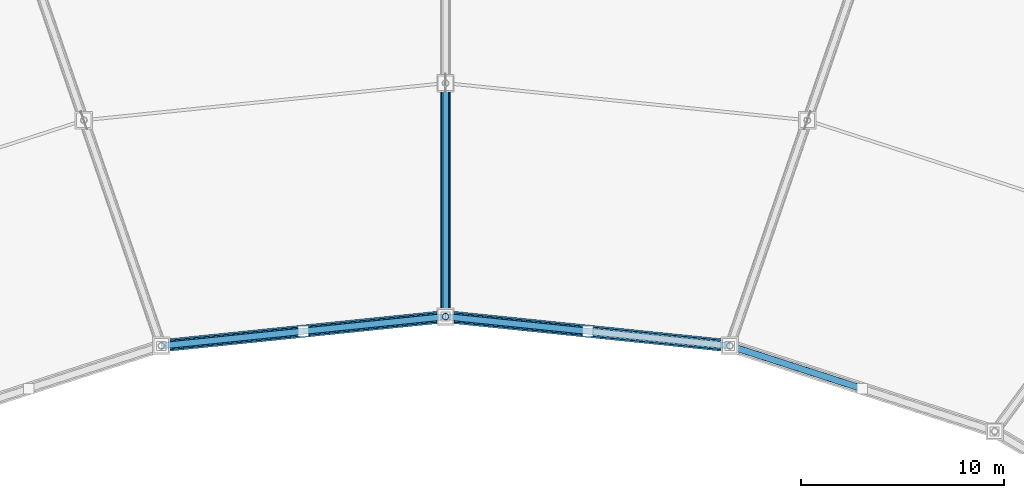
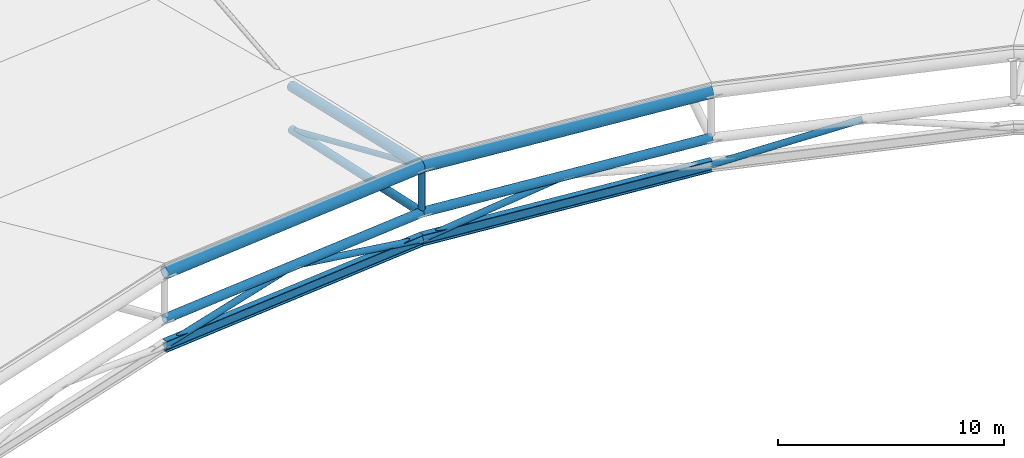
# One storey, part 33 of 115: 12 members, 2 beams.
"""IFC4 building model written with IfcOpenShell, lengths in metres."""

from ifc_helpers import new_model, si_unit, direction, frame, origin, origin_2d, place, context, subcontext, project, spatial, hollow_circle, i_section, extrude, material, material_profile, profile_set, type_object, element, save


model = new_model("IFC4")

# Units and contexts
model_context = context("Model", 3, precision=1e-05, world=origin(), true_north=direction((0.0, 1.0)))
body_context = subcontext(model_context, "Body", "Model", "MODEL_VIEW")
ifc_project = project(units=[si_unit("LENGTHUNIT", "METRE"), si_unit("AREAUNIT", "SQUARE_METRE"), si_unit("VOLUMEUNIT", "CUBIC_METRE"), si_unit("PLANEANGLEUNIT", "RADIAN"), si_unit("MASSUNIT", "GRAM", prefix="KILO")], contexts=[model_context])

# Site, building, storey
site_placement = place(None, origin())
site = spatial("IfcSite", under=ifc_project, at=site_placement, CompositionType="ELEMENT")
building_placement = place(site_placement, origin())
building = spatial("IfcBuilding", under=site, at=building_placement, Name="Zlatoyarsky Gate Stadium", CompositionType="ELEMENT")
storey_placement = place(building_placement, frame((0.0, 0.0, 31.800048828125)))
storey = spatial("IfcBuildingStorey", under=building, at=storey_placement, Name="RF", CompositionType="ELEMENT", Elevation=31.800048828125)

# Members
ifc_material = material(Name="Steel S355", Category="steel")
ifc_material_profile_1 = material_profile(ifc_material, hollow_circle(Radius=0.228515625, WallThickness=0.02490234375, at=origin_2d()), Name="CHS 457X25")
ifc_profile_set_1 = profile_set([ifc_material_profile_1], Name="Steel S355")
member_type_1 = type_object("IfcMemberType", Name="STEEL ARCH BOTTOM CHORD CHS 457X25", PredefinedType="CHORD", material=ifc_profile_set_1)
for number, where, z_axis, x_axis, name in (
    (1, (124.97998046875, 120.69921875, 6.449951171875), (-0.99476736864, 0.102165954647, 0.0), (-0.102165954647, -0.99476736864, 0.0), "Inner tension ring bottom chord 05"),
    (2, (111.0, 122.135009765625, 6.449951171875), (-0.99476736864, -0.102165954647, 0.0), (0.102165954647, -0.99476736864, 0.0), "Inner tension ring bottom chord 06"),
):
    element("IfcMember", number, at=place(storey_placement, frame(where, z_axis=z_axis, x_axis=x_axis)), inside=storey, type_object=member_type_1, Name=name, PredefinedType="CHORD", context=body_context, shape_type="SweptSolid", body=[
        extrude(hollow_circle(Radius=0.228515625, WallThickness=0.02490234375, at=origin_2d()), origin(), (0.0, 0.0, 1.0), 14.053466796875),
    ])
ifc_material_profile_2 = material_profile(ifc_material, hollow_circle(Radius=0.203125, WallThickness=0.02001953125, at=origin_2d()), Name="CHS 406.4X20")
ifc_profile_set_2 = profile_set([ifc_material_profile_2], Name="Steel S355")
member_type_2 = type_object("IfcMemberType", Name="STEEL ARCH INNER CHORD CHS 406.4X20", PredefinedType="CHORD", material=ifc_profile_set_2)
member_1_placement = place(storey_placement, frame((111.0, 133.62060546875, 3.949951171875), z_axis=(0.0, -0.977121031831, 0.212684012455), x_axis=(1.0, 0.0, 0.0)))
element("IfcMember", 3, at=member_1_placement, inside=storey, type_object=member_type_2, Name="Radial truss R07 bottom chord 3", PredefinedType="CHORD", context=body_context, shape_type="SweptSolid", body=[
    extrude(hollow_circle(Radius=0.203125, WallThickness=0.02001953125, at=origin_2d()), origin(), (0.0, 0.0, 1.0), 11.754638671875),
])
ifc_material_profile_3 = material_profile(ifc_material, hollow_circle(Radius=0.25390625, WallThickness=0.02490234375, at=origin_2d()), Name="CHS 508X25")
ifc_profile_set_3 = profile_set([ifc_material_profile_3], Name="Steel S355")
member_type_3 = type_object("IfcMemberType", Name="STEEL ARCH TOP CHORD CHS 508X25", PredefinedType="CHORD", material=ifc_profile_set_3)
member_2_placement = place(storey_placement, frame((111.0, 133.62060546875, 6.300048828125), z_axis=(0.0, -0.97440271409, 0.224809587815), x_axis=(1.0, 0.0, 0.0)))
element("IfcMember", 4, at=member_2_placement, inside=storey, type_object=member_type_3, Name="Radial truss R07 top chord 3", PredefinedType="CHORD", context=body_context, shape_type="SweptSolid", body=[
    extrude(hollow_circle(Radius=0.25390625, WallThickness=0.02490234375, at=origin_2d()), origin(), (0.0, 0.0, 1.0), 11.787353515625),
])

# Beams
ifc_material_profile_4 = material_profile(ifc_material, i_section(OverallWidth=0.300048828125, OverallDepth=0.60009765625, WebThickness=0.015380859375, FlangeThickness=0.030029296875, FilletRadius=0.027099609375, at=origin_2d()), Name="HEB 600")
ifc_profile_set_4 = profile_set([ifc_material_profile_4], Name="Steel S355")
beam_type = type_object("IfcBeamType", Name="STEEL INNER CATWALK RING BEAM HEB 600", PredefinedType="USERDEFINED", material=ifc_profile_set_4)
for number, where, z_axis, x_axis, name in (
    (5, (124.97998046875, 120.69921875, 5.0), (-0.99476736864, 0.102165954647, 0.0), (-0.102165954647, -0.99476736864, 0.0), "Inner lighting catwalk ring beam 05"),
    (6, (111.0, 122.135009765625, 5.0), (-0.99476736864, -0.102165954647, 0.0), (0.102165954647, -0.99476736864, 0.0), "Inner lighting catwalk ring beam 06"),
):
    element("IfcBeam", number, at=place(storey_placement, frame(where, z_axis=z_axis, x_axis=x_axis)), inside=storey, type_object=beam_type, Name=name, ObjectType="RING BEAM", PredefinedType="USERDEFINED", context=body_context, shape_type="SweptSolid", body=[
        extrude(i_section(OverallWidth=0.300048828125, OverallDepth=0.60009765625, WebThickness=0.015380859375, FlangeThickness=0.030029296875, FilletRadius=0.027099609375, at=origin_2d()), origin(), (0.0, 0.0, 1.0), 14.053466796875),
    ])

# Members
ifc_material_profile_5 = material_profile(ifc_material, hollow_circle(Radius=0.136474609375, WallThickness=0.01611328125, at=origin_2d()), Name="CHS 273X16")
ifc_profile_set_5 = profile_set([ifc_material_profile_5], Name="Steel S355")
member_type_4 = type_object("IfcMemberType", Name="STEEL ROOF TRUSS DIAGONAL CHS 273X16", PredefinedType="BRACE", material=ifc_profile_set_5)
member_3_placement = place(storey_placement, frame((111.0, 133.62060546875, 3.949951171875), z_axis=(0.0, -0.916887148251, 0.399146536214), x_axis=(1.0, 0.0, 0.0)))
element("IfcMember", 7, at=member_3_placement, inside=storey, type_object=member_type_4, Name="Radial truss R07 web diagonal 3", PredefinedType="BRACE", context=body_context, shape_type="SweptSolid", body=[
    extrude(hollow_circle(Radius=0.136474609375, WallThickness=0.01611328125, at=origin_2d()), origin(), (0.0, 0.0, 1.0), 12.526611328125),
])
ifc_material_profile_6 = material_profile(ifc_material, hollow_circle(Radius=0.304931640625, WallThickness=0.030029296875, at=origin_2d()), Name="CHS 610X30")
ifc_profile_set_6 = profile_set([ifc_material_profile_6], Name="Steel S355")
member_type_5 = type_object("IfcMemberType", Name="STEEL TENSION RING CHORD CHS 610X30", PredefinedType="CHORD", material=ifc_profile_set_6)
for number, where, z_axis, x_axis, name in (
    (8, (124.97998046875, 120.69921875, 8.949951171875), (-0.99476736864, 0.102165954647, 0.0), (-0.102165954647, -0.99476736864, 0.0), "Inner tension ring top chord 05"),
    (9, (111.0, 122.135009765625, 8.949951171875), (-0.99476736864, -0.102165954647, 0.0), (0.102165954647, -0.99476736864, 0.0), "Inner tension ring top chord 06"),
):
    element("IfcMember", number, at=place(storey_placement, frame(where, z_axis=z_axis, x_axis=x_axis)), inside=storey, type_object=member_type_5, Name=name, PredefinedType="CHORD", context=body_context, shape_type="SweptSolid", body=[
        extrude(hollow_circle(Radius=0.304931640625, WallThickness=0.030029296875, at=origin_2d()), origin(), (0.0, 0.0, 1.0), 14.053466796875),
    ])
ifc_material_profile_7 = material_profile(ifc_material, hollow_circle(Radius=0.161865234375, WallThickness=0.01611328125, at=origin_2d()), Name="CHS 323.9X16")
ifc_profile_set_7 = profile_set([ifc_material_profile_7], Name="Steel S355")
member_type_6 = type_object("IfcMemberType", Name="STEEL TRUSS WEB STRUT CHS 323.9X16", PredefinedType="STRUT", material=ifc_profile_set_7)
member_4_placement = place(storey_placement, frame((124.97998046875, 120.69921875, 5.0), z_axis=(0.93090739616, -0.300789050721, 0.207213336299), x_axis=(0.307462279666, 0.951560269548, 0.0)))
element("IfcMember", 10, at=member_4_placement, inside=storey, type_object=member_type_6, Name="Catwalk V-hanger strut 04B", PredefinedType="STRUT", context=body_context, shape_type="SweptSolid", body=[
    extrude(hollow_circle(Radius=0.161865234375, WallThickness=0.01611328125, at=origin_2d()), origin(), (0.0, 0.0, 1.0), 6.997314453125),
])
member_5_placement = place(storey_placement, frame((111.0, 122.135009765625, 5.0), z_axis=(0.974240724945, -0.100074813037, 0.202089192325), x_axis=(0.10218314548, 0.994765602934, 0.0)))
element("IfcMember", 11, at=member_5_placement, inside=storey, type_object=member_type_6, Name="Catwalk V-hanger strut 05B", PredefinedType="STRUT", context=body_context, shape_type="SweptSolid", body=[
    extrude(hollow_circle(Radius=0.161865234375, WallThickness=0.01611328125, at=origin_2d()), origin(), (0.0, 0.0, 1.0), 7.1748046875),
])
member_6_placement = place(storey_placement, frame((111.0, 122.135009765625, 6.449951171875), z_axis=(0.0, 0.0, 1.0), x_axis=(1.0, 0.0, 0.0)))
element("IfcMember", 12, at=member_6_placement, inside=storey, type_object=member_type_6, Name="Radial truss R07 web strut 3", PredefinedType="STRUT", context=body_context, shape_type="SweptSolid", body=[
    extrude(hollow_circle(Radius=0.161865234375, WallThickness=0.01611328125, at=origin_2d()), origin(), (0.0, 0.0, 1.0), 2.5),
])
for number, where, z_axis, x_axis, name in (
    (13, (111.0, 122.135009765625, 5.0), (-0.974240724945, -0.100074813037, 0.202089192325), (0.10218314548, -0.994765602934, 0.0), "Catwalk V-hanger strut 06A"),
    (14, (97.02001953125, 120.69921875, 5.0), (0.974244041973, 0.100041126171, 0.202089880384), (-0.102148763722, 0.994769134056, 0.0), "Catwalk V-hanger strut 06B"),
):
    element("IfcMember", number, at=place(storey_placement, frame(where, z_axis=z_axis, x_axis=x_axis)), inside=storey, type_object=member_type_6, Name=name, PredefinedType="STRUT", context=body_context, shape_type="SweptSolid", body=[
        extrude(hollow_circle(Radius=0.161865234375, WallThickness=0.01611328125, at=origin_2d()), origin(), (0.0, 0.0, 1.0), 7.1748046875),
    ])

save(model, "model.ifc")
